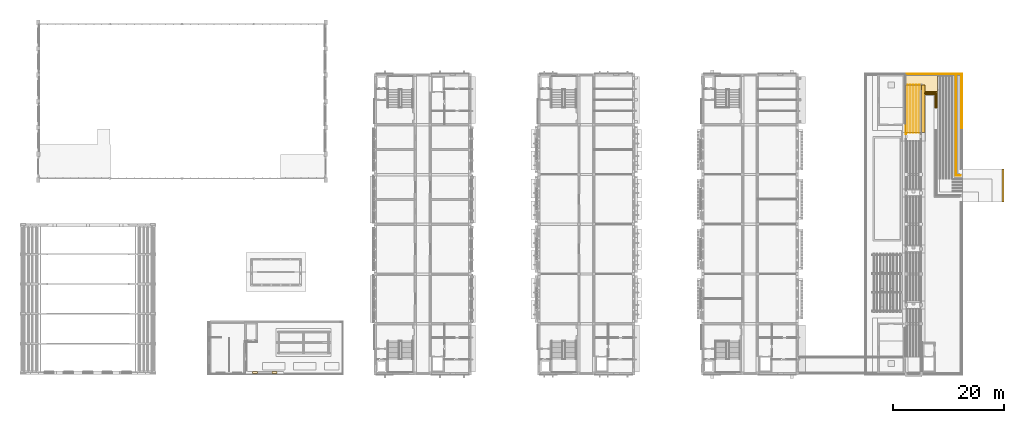
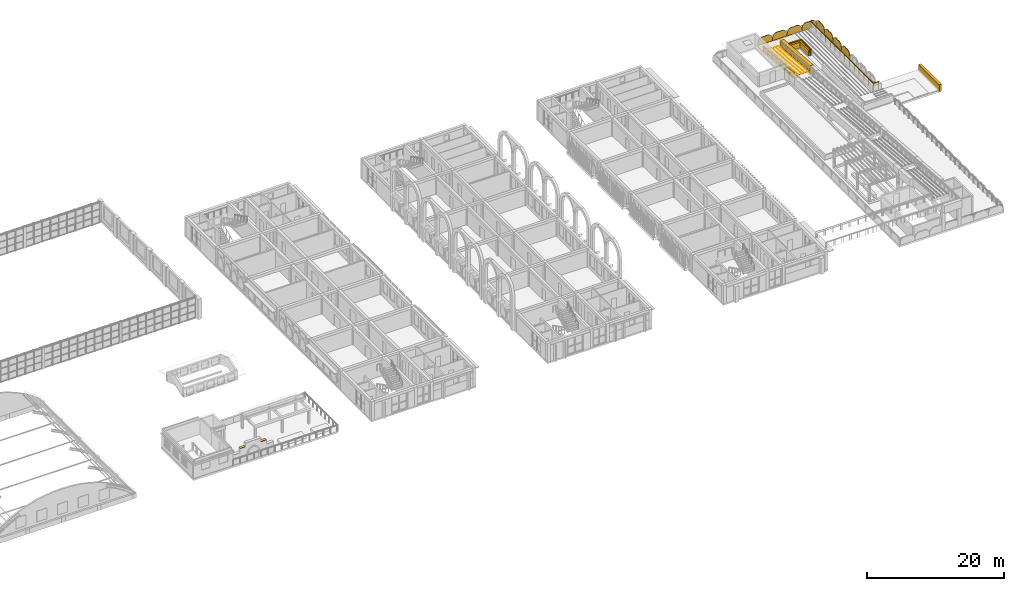
# One storey, part 69 of 70: 14 coverings, 8 shading devices, 3 railings.
"""IFC4 building model written with IfcOpenShell, lengths in metres."""

from ifc_helpers import new_model, si_unit, direction, frame, origin, origin_2d, place, context, subcontext, project, spatial, polyline, circle, outline, extrude, material, layer, layer_set, type_object, element, save


model = new_model("IFC4")

# Units and contexts
model_context = context("Model", 3, precision=1e-05, world=origin(), true_north=direction((0.0, 1.0)))
body_context = subcontext(model_context, "Body", "Model", "MODEL_VIEW")
ifc_project = project(units=[si_unit("LENGTHUNIT", "METRE"), si_unit("AREAUNIT", "SQUARE_METRE"), si_unit("VOLUMEUNIT", "CUBIC_METRE"), si_unit("PLANEANGLEUNIT", "RADIAN"), si_unit("MASSUNIT", "GRAM", prefix="KILO")], contexts=[model_context])

# Site, building, storey
site_placement = place(None, origin())
site = spatial("IfcSite", under=ifc_project, at=site_placement, CompositionType="ELEMENT")
building_placement = place(site_placement, origin())
building = spatial("IfcBuilding", under=site, at=building_placement, Name="Elbe Cascade School", CompositionType="ELEMENT")
storey_placement = place(building_placement, frame((0.0, 0.0, 8.10009765625)))
storey = spatial("IfcBuildingStorey", under=building, at=storey_placement, Name="L02", CompositionType="ELEMENT", Elevation=8.10009765625)

# Shading devices
ifc_material_1 = material(Name="Precast concrete C40/50", Category="concrete")
ifc_layer_1 = layer(ifc_material_1, 0.1201171875)
ifc_layer_set_1 = layer_set([ifc_layer_1], Name="Precast concrete C40/50")
shading_device_type = type_object("IfcShadingDeviceType", Name="Bars envelope Attic jali screen, pointed arch top, pierced precast concrete, 1200 high", PredefinedType="USERDEFINED", material=ifc_layer_set_1)
shading_device_1_placement = place(storey_placement, frame((175.1201171875, 50.392822265625, 0.0), z_axis=(1.0, 0.0, 0.0), x_axis=(0.0, 1.0, 0.0)))
element("IfcShadingDevice", 1, at=shading_device_1_placement, inside=storey, type_object=shading_device_type, Name="Attic jali screen SD1 D.L02.e17", ObjectType="JALI", PredefinedType="USERDEFINED", context=body_context, shape_type="SweptSolid", body=[
    extrude(outline(polyline([(0.0, 0.0), (2.46435546875, 0.0), (2.46435546875, 0.39990234375), (2.310302734375, 0.89599609375), (2.15625, 1.066650390625), (2.002197265625, 1.171875), (1.848388671875, 1.236328125), (1.6943359375, 1.269287109375), (1.540283203125, 1.2744140625), (1.38623046875, 1.251953125), (1.232177734375, 1.199951171875), (1.078125, 1.251953125), (0.924072265625, 1.2744140625), (0.77001953125, 1.269287109375), (0.615966796875, 1.236328125), (0.462158203125, 1.171875), (0.30810546875, 1.066650390625), (0.154052734375, 0.89599609375), (0.0, 0.39990234375), (0.0, 0.0)])), origin(), (0.0, 0.0, -1.0), 0.1201171875),
])
shading_device_2_placement = place(storey_placement, frame((175.1201171875, 52.857177734375, 0.0), z_axis=(1.0, 0.0, 0.0), x_axis=(0.0, 1.0, 0.0)))
element("IfcShadingDevice", 2, at=shading_device_2_placement, inside=storey, type_object=shading_device_type, Name="Attic jali screen SD1 D.L02.e18", ObjectType="JALI", PredefinedType="USERDEFINED", context=body_context, shape_type="SweptSolid", body=[
    extrude(outline(polyline([(0.0, 0.0), (2.464111328125, 0.0), (2.464111328125, 0.39990234375), (2.310302734375, 0.89599609375), (2.15625, 1.066650390625), (2.002197265625, 1.171875), (1.84814453125, 1.236328125), (1.694091796875, 1.269287109375), (1.5400390625, 1.2744140625), (1.38623046875, 1.251953125), (1.232177734375, 1.199951171875), (1.078125, 1.251953125), (0.924072265625, 1.2744140625), (0.77001953125, 1.269287109375), (0.615966796875, 1.236328125), (0.4619140625, 1.171875), (0.30810546875, 1.066650390625), (0.154052734375, 0.89599609375), (0.0, 0.39990234375), (0.0, 0.0)])), origin(), (0.0, 0.0, -1.0), 0.1201171875),
])
shading_device_3_placement = place(storey_placement, frame((175.1201171875, 55.3212890625, 0.0), z_axis=(1.0, 0.0, 0.0), x_axis=(0.0, 1.0, 0.0)))
element("IfcShadingDevice", 3, at=shading_device_3_placement, inside=storey, type_object=shading_device_type, Name="Attic jali screen SD1 D.L02.e19", ObjectType="JALI", PredefinedType="USERDEFINED", context=body_context, shape_type="SweptSolid", body=[
    extrude(outline(polyline([(0.0, 0.0), (2.46435546875, 0.0), (2.46435546875, 0.39990234375), (2.310302734375, 0.89599609375), (2.156494140625, 1.066650390625), (2.00244140625, 1.171875), (1.848388671875, 1.236328125), (1.6943359375, 1.269287109375), (1.540283203125, 1.2744140625), (1.38623046875, 1.251953125), (1.232421875, 1.199951171875), (1.078369140625, 1.251953125), (0.92431640625, 1.2744140625), (0.770263671875, 1.269287109375), (0.6162109375, 1.236328125), (0.462158203125, 1.171875), (0.30810546875, 1.066650390625), (0.154052734375, 0.89599609375), (0.0, 0.39990234375), (0.0, 0.0)])), origin(), (0.0, 0.0, -1.0), 0.1201171875),
])
shading_device_4_placement = place(storey_placement, frame((175.1201171875, 57.78564453125, 0.0), z_axis=(1.0, 0.0, 0.0), x_axis=(0.0, 1.0, 0.0)))
element("IfcShadingDevice", 4, at=shading_device_4_placement, inside=storey, type_object=shading_device_type, Name="Attic jali screen SD1 D.L02.e20", ObjectType="JALI", PredefinedType="USERDEFINED", context=body_context, shape_type="SweptSolid", body=[
    extrude(outline(polyline([(0.0, 0.0), (2.46435546875, 0.0), (2.46435546875, 0.39990234375), (2.310302734375, 0.89599609375), (2.15625, 1.066650390625), (2.002197265625, 1.171875), (1.84814453125, 1.236328125), (1.6943359375, 1.269287109375), (1.540283203125, 1.2744140625), (1.38623046875, 1.251953125), (1.232177734375, 1.199951171875), (1.078125, 1.251953125), (0.924072265625, 1.2744140625), (0.770263671875, 1.269287109375), (0.6162109375, 1.236328125), (0.462158203125, 1.171875), (0.30810546875, 1.066650390625), (0.154052734375, 0.89599609375), (0.0, 0.39990234375), (0.0, 0.0)])), origin(), (0.0, 0.0, -1.0), 0.1201171875),
])
shading_device_5_placement = place(storey_placement, frame((165.1142578125, 60.219970703125, 0.39990234375), z_axis=(0.0, 1.0, 0.0), x_axis=(0.296885994804, 0.0, 0.954912931156)))
element("IfcShadingDevice", 5, at=shading_device_5_placement, inside=storey, type_object=shading_device_type, Name="Attic jali screen SD1 D.L02.n4", ObjectType="JALI", PredefinedType="USERDEFINED", context=body_context, shape_type="SweptSolid", body=[
    extrude(outline(polyline([(0.0, 0.0), (0.5205399322619295, 0.0), (0.7297747744144588, 0.09653024661443438), (0.8759030447045664, 0.21293622992885647), (0.9833312303823933, 0.34137421400927725), (1.0606852539217615, 0.47916236735966106), (1.1111564959480074, 0.6250528098876207), (1.1353561864054482, 0.7793668438081713), (1.130880512963428, 0.9425961554047334), (1.227045830796945, 1.0742801391969354), (1.2946082666633263, 1.2151125337049815), (1.3358266690285774, 1.3641353865657857), (1.3502347718130312, 1.521493661643999), (1.3344962305267012, 1.6879689729523422), (1.280130086560416, 1.8667094180665167), (1.1625848887993835, 2.065092466840847), (0.7337346009289507, 2.3600057622296102), (0.3518626816824722, 2.4787311673784416), (-0.3818719192464785, 0.1187254051488315), (0.0, 0.0)])), origin(), (0.0, 0.0, -1.0), 0.1201171875),
])
shading_device_6_placement = place(storey_placement, frame((167.585693359375, 60.219970703125, 0.39990234375), z_axis=(0.0, 1.0, 0.0), x_axis=(0.296885994804, 0.0, 0.954912931156)))
element("IfcShadingDevice", 6, at=shading_device_6_placement, inside=storey, type_object=shading_device_type, Name="Attic jali screen SD1 D.L02.n5", ObjectType="JALI", PredefinedType="USERDEFINED", context=body_context, shape_type="SweptSolid", body=[
    extrude(outline(polyline([(0.0, 0.0), (0.5205399322619295, 0.0), (0.7297747744144588, 0.09653024661443438), (0.8759030447045664, 0.21293622992885647), (0.9833312303823933, 0.34137421400927725), (1.060612771989436, 0.4789292343198281), (1.1111564959480074, 0.6250528098876207), (1.1353561864054482, 0.7793668438081713), (1.1308080310311026, 0.9423630223649005), (1.227045830796945, 1.0742801391969354), (1.2946082666633263, 1.2151125337049815), (1.3358266690285774, 1.3641353865657857), (1.350162289880706, 1.521260528604166), (1.3344962305267012, 1.6879689729523422), (1.280130086560416, 1.8667094180665167), (1.162512406867058, 2.0648593338010137), (0.7337346009289507, 2.3600057622296102), (0.3518626816824722, 2.4787311673784416), (-0.3818719192464785, 0.1187254051488315), (0.0, 0.0)])), origin(), (0.0, 0.0, -1.0), 0.1201171875),
])
shading_device_7_placement = place(storey_placement, frame((170.05712890625, 60.219970703125, 0.39990234375), z_axis=(0.0, 1.0, 0.0), x_axis=(0.296885994804, 0.0, 0.954912931156)))
element("IfcShadingDevice", 7, at=shading_device_7_placement, inside=storey, type_object=shading_device_type, Name="Attic jali screen SD1 D.L02.n6", ObjectType="JALI", PredefinedType="USERDEFINED", context=body_context, shape_type="SweptSolid", body=[
    extrude(outline(polyline([(0.0, 0.0), (0.5205399322619295, 0.0), (0.7298472563467842, 0.0967633796542674), (0.8759030447045664, 0.21293622992885647), (0.9833312303823933, 0.34137421400927725), (1.0606852539217615, 0.47916236735966106), (1.1111564959480074, 0.6250528098876207), (1.1353561864054482, 0.7793668438081713), (1.130880512963428, 0.9425961554047334), (1.227045830796945, 1.0742801391969354), (1.2946082666633263, 1.2151125337049815), (1.335754187096252, 1.3639022535259528), (1.350162289880706, 1.521260528604166), (1.3344962305267012, 1.6879689729523422), (1.2800576046280905, 1.8664762850266836), (1.162512406867058, 2.0648593338010137), (0.7337346009289507, 2.3600057622296102), (0.3518626816824722, 2.4787311673784416), (-0.3818719192464785, 0.1187254051488315), (0.0, 0.0)])), origin(), (0.0, 0.0, -1.0), 0.1201171875),
])
shading_device_8_placement = place(storey_placement, frame((172.528564453125, 60.219970703125, 0.39990234375), z_axis=(0.0, 1.0, 0.0), x_axis=(0.296885994804, 0.0, 0.954912931156)))
element("IfcShadingDevice", 8, at=shading_device_8_placement, inside=storey, type_object=shading_device_type, Name="Attic jali screen SD1 D.L02.n7", ObjectType="JALI", PredefinedType="USERDEFINED", context=body_context, shape_type="SweptSolid", body=[
    extrude(outline(polyline([(0.0, 0.0), (0.5205399322619295, 0.0), (0.7297747744144588, 0.09653024661443438), (0.8759030447045664, 0.21293622992885647), (0.9833312303823933, 0.34137421400927725), (1.060612771989436, 0.4789292343198281), (1.1111564959480074, 0.6250528098876207), (1.1353561864054482, 0.7793668438081713), (1.130880512963428, 0.9425961554047334), (1.227045830796945, 1.0742801391969354), (1.2946082666633263, 1.2151125337049815), (1.3358266690285774, 1.3641353865657857), (1.350162289880706, 1.521260528604166), (1.3344962305267012, 1.6879689729523422), (1.280130086560416, 1.8667094180665167), (1.162512406867058, 2.0648593338010137), (0.7337346009289507, 2.3600057622296102), (0.3518626816824722, 2.4787311673784416), (-0.3818719192464785, 0.1187254051488315), (0.0, 0.0)])), origin(), (0.0, 0.0, -1.0), 0.1201171875),
])

# Coverings
ifc_material_2 = material(Name="Sandstone - red", Category="masonry")
ifc_layer_2 = layer(ifc_material_2, 0.10009765625)
ifc_layer_set_2 = layer_set([ifc_layer_2], Name="Sandstone - red")
covering_type_1 = type_object("IfcCoveringType", Name="Cafe frontispiece coping 100", PredefinedType="CLADDING", material=ifc_layer_set_2)
covering_1_placement = place(storey_placement, frame((0.0, 0.0, 2.5)))
element("IfcCovering", 9, at=covering_1_placement, inside=storey, type_object=covering_type_1, Name="Cafe frontispiece coping 100 CV98", PredefinedType="CLADDING", context=body_context, shape_type="SweptSolid", body=[
    extrude(outline(polyline([(50.300048828125, 6.0), (51.199951171875, 6.0), (51.199951171875, 6.39990234375), (50.300048828125, 6.39990234375), (50.300048828125, 6.0)])), origin(), (0.0, 0.0, 1.0), 0.099853515625),
])
covering_2_placement = place(storey_placement, frame((0.0, 0.0, 2.5)))
element("IfcCovering", 10, at=covering_2_placement, inside=storey, type_object=covering_type_1, Name="Cafe frontispiece coping 100 CV98", PredefinedType="CLADDING", context=body_context, shape_type="SweptSolid", body=[
    extrude(outline(polyline([(46.800048828125, 6.0), (47.699951171875, 6.0), (47.699951171875, 6.39990234375), (46.800048828125, 6.39990234375), (46.800048828125, 6.0)])), origin(), (0.0, 0.0, 1.0), 0.099853515625),
])
ifc_material_3 = material(Name="Sandstone - red", Category="masonry")
ifc_layer_3 = layer(ifc_material_3, 0.39990234375)
ifc_layer_set_3 = layer_set([ifc_layer_3], Name="Sandstone - red")
covering_type_2 = type_object("IfcCoveringType", Name="Cascade cheek wall 400", PredefinedType="CLADDING", material=ifc_layer_set_3)
covering_3_placement = place(storey_placement, frame((0.0, 0.0, -0.239990234375)))
element("IfcCovering", 11, at=covering_3_placement, inside=storey, type_object=covering_type_2, Name="Cascade top landing cheek wall east", PredefinedType="CLADDING", context=body_context, shape_type="SweptSolid", body=[
    extrude(outline(polyline([(182.300048828125, 37.0), (182.699951171875, 37.0), (182.699951171875, 43.0), (182.300048828125, 43.0), (182.300048828125, 37.0)])), origin(), (0.0, 0.0, 1.0), 1.260009765625),
])
ifc_material_4 = material(Name="Running track surfacing - white lines", Category="surfacing")
ifc_layer_4 = layer(ifc_material_4, 0.02001953125)
ifc_layer_set_4 = layer_set([ifc_layer_4], Name="Running track surfacing - white lines")
covering_type_3 = type_object("IfcCoveringType", Name="Lane marking 80", PredefinedType="FLOORING", material=ifc_layer_set_4)
for number, where, z_axis, x_axis, name in (
    (12, (165.22998046875, 49.56005859375, 0.9599609375), (0.0, 0.08304314939, 0.996545952447), (0.0, 0.996545952447, -0.08304314939), "Lane marking D ramp flight 5 line 1"),
    (13, (165.77001953125, 49.56005859375, 0.9599609375), (0.0, 0.08304314939, 0.996545952447), (0.0, 0.996545952447, -0.08304314939), "Lane marking D ramp flight 5 line 2"),
):
    element("IfcCovering", number, at=place(storey_placement, frame(where, z_axis=z_axis, x_axis=x_axis)), inside=storey, type_object=covering_type_3, Name=name, PredefinedType="FLOORING", context=body_context, shape_type="SweptSolid", body=[
        extrude(outline(polyline([(0.0, 0.0), (8.669838612967244, 0.0), (8.669838612967244, -0.08007812500000001), (0.0, -0.08007812500000001), (0.0, 0.0)])), origin(), (0.08304314939, 0.0, -0.996545952447), 0.02001953125),
    ])
for number, where, z_axis, x_axis, name in (
    (14, (166.31005859375, 49.56005859375, 0.9599609375), (0.0, 0.08304314939, 0.996545952447), (0.0, 0.996545952447, -0.08304314939), "Lane marking D ramp flight 5 line 3"),
    (15, (166.85009765625, 49.56005859375, 0.9599609375), (0.0, 0.08304314939, 0.996545952447), (0.0, 0.996545952447, -0.08304314939), "Lane marking D ramp flight 5 line 4"),
):
    element("IfcCovering", number, at=place(storey_placement, frame(where, z_axis=z_axis, x_axis=x_axis)), inside=storey, type_object=covering_type_3, Name=name, PredefinedType="FLOORING", context=body_context, shape_type="SweptSolid", body=[
        extrude(outline(polyline([(0.0, 0.0), (8.669838612967244, 0.0), (8.669838612967244, -0.079833984375), (0.0, -0.079833984375), (0.0, 0.0)])), origin(), (0.08304314939, 0.0, -0.996545952447), 0.02001953125),
    ])
covering_4_placement = place(storey_placement, frame((167.389892578125, 49.56005859375, 0.9599609375), z_axis=(0.0, 0.08304314939, 0.996545952447), x_axis=(0.0, 0.996545952447, -0.08304314939)))
element("IfcCovering", 16, at=covering_4_placement, inside=storey, type_object=covering_type_3, Name="Lane marking D ramp flight 5 line 5", PredefinedType="FLOORING", context=body_context, shape_type="SweptSolid", body=[
    extrude(outline(polyline([(0.0, 0.0), (8.669838612967244, 0.0), (8.669838612967244, -0.08007812500000001), (0.0, -0.08007812500000001), (0.0, 0.0)])), origin(), (0.08304314939, 0.0, -0.996545952447), 0.02001953125),
])
ifc_material_5 = material(Name="Concrete C30/37 precast parapet", Category="concrete")
ifc_layer_5 = layer(ifc_material_5, 0.60009765625)
ifc_layer_set_5 = layer_set([ifc_layer_5], Name="Concrete C30/37 precast parapet")
covering_type_4 = type_object("IfcCoveringType", Name="Ramp parapet on deck 600", PredefinedType="CLADDING", material=ifc_layer_set_5)
covering_5_placement = place(storey_placement, frame((167.800048828125, 49.56005859375, 0.059814453125), z_axis=(1.0, 0.0, 0.0), x_axis=(0.0, 1.0, 0.0)))
element("IfcCovering", 17, at=covering_5_placement, inside=storey, type_object=covering_type_4, Name="Ramp D flight 5 parapet e1", PredefinedType="CLADDING", context=body_context, shape_type="SweptSolid", body=[
    extrude(outline(polyline([(0.0, 0.0), (8.639892578125, 0.0), (8.639892578125, 1.06005859375), (0.0, 1.780029296875), (0.0, 0.0)])), origin(), (0.0, 0.0, 1.0), 0.599853515625),
])
ifc_material_6 = material(Name="Running track surfacing - red", Category="surfacing")
ifc_layer_6 = layer(ifc_material_6, 0.10009765625)
ifc_layer_set_6 = layer_set([ifc_layer_6], Name="Running track surfacing - red")
covering_type_5 = type_object("IfcCoveringType", Name="Running track band 100", PredefinedType="USERDEFINED", material=ifc_layer_set_6)
covering_6_placement = place(storey_placement, frame((165.14990234375, 49.56005859375, 0.93994140625), z_axis=(0.0, 0.08304314939, 0.996545952447), x_axis=(0.0, 0.996545952447, -0.08304314939)))
element("IfcCovering", 18, at=covering_6_placement, inside=storey, type_object=covering_type_5, Name="Running track band D ramp flight 5", ObjectType="RUNNING TRACK", PredefinedType="USERDEFINED", context=body_context, shape_type="SweptSolid", body=[
    extrude(outline(polyline([(0.0, 0.0), (8.669838612967244, 0.0), (8.669838612967244, -2.400146484375), (0.0, -2.400146484375), (0.0, 0.0)])), origin(), (0.08304314939, 0.0, -0.996545952447), 0.10009765625),
])
ifc_material_7 = material(Name="Running track surfacing - red", Category="surfacing")
ifc_layer_7 = layer(ifc_material_7, 0.06005859375)
ifc_layer_set_7 = layer_set([ifc_layer_7], Name="Running track surfacing - red")
covering_type_6 = type_object("IfcCoveringType", Name="Running track surfacing 60", PredefinedType="USERDEFINED", material=ifc_layer_set_7)
covering_7_placement = place(storey_placement, frame((0.0, 0.0, 0.059814453125)))
element("IfcCovering", 19, at=covering_7_placement, inside=storey, type_object=covering_type_6, Name="Running track D ramp link", ObjectType="RUNNING TRACK", PredefinedType="USERDEFINED", context=body_context, shape_type="SweptSolid", body=[
    extrude(outline(polyline([(164.89990234375, 58.199951171875), (167.800048828125, 58.199951171875), (167.800048828125, 57.0), (170.699951171875, 57.0), (170.699951171875, 59.969970703125), (164.89990234375, 59.969970703125), (164.89990234375, 58.199951171875)])), origin(), (0.0, 0.0, 1.0), 0.06005859375),
])
covering_8_placement = place(storey_placement, frame((164.89990234375, 49.56005859375, 0.83984375), z_axis=(0.0, 0.08304314939, 0.996545952447), x_axis=(0.0, 0.996545952447, -0.08304314939)))
element("IfcCovering", 20, at=covering_8_placement, inside=storey, type_object=covering_type_6, Name="Running track D ramp flight 5", ObjectType="RUNNING TRACK", PredefinedType="USERDEFINED", context=body_context, shape_type="SweptSolid", body=[
    extrude(outline(polyline([(0.0, 0.0), (8.669838612967244, 0.0), (8.669838612967244, -2.900146484375), (0.0, -2.900146484375), (0.0, 0.0)])), origin(), (0.08304314939, 0.0, -0.996545952447), 0.06005859375),
])

# Railings
ifc_material_8 = material(Name="Steel S355J2H", Category="steel")
railing_type_1 = type_object("IfcRailingType", Name="Track edge rail 1280", PredefinedType="GUARDRAIL", material=ifc_material_8)
railing_1_placement = place(storey_placement, frame((174.0, 59.927978515625, 0.059814453125)))
element("IfcRailing", 21, at=railing_1_placement, inside=storey, type_object=railing_type_1, Name="Track edge rail RL6 D east", PredefinedType="GUARDRAIL", context=body_context, shape_type="SweptSolid", body=[
    extrude(circle(Radius=0.06005859375, at=origin_2d()), frame((0.0, 0.0, 1.219970703125), z_axis=(0.0, -1.0, 0.0), x_axis=(1.0, 0.0, 0.0)), (0.0, 0.0, 1.0), 18.1279296875),
    extrude(circle(Radius=0.06005859375, at=origin_2d()), frame((0.0, -18.1279296875, 1.219970703125), z_axis=(1.0, 0.0, 0.0), x_axis=(0.0, 1.0, 0.0)), (0.0, 0.0, 1.0), 0.85791015625),
    extrude(circle(Radius=0.0400390625, at=origin_2d()), origin(), (0.0, 0.0, 1.0), 1.159912109375),
    extrude(circle(Radius=0.0400390625, at=origin_2d()), frame((0.0, -1.39453125, 0.0)), (0.0, 0.0, 1.0), 1.159912109375),
    extrude(circle(Radius=0.0400390625, at=origin_2d()), frame((0.0, -2.788818359375, 0.0)), (0.0, 0.0, 1.0), 1.159912109375),
    extrude(circle(Radius=0.0400390625, at=origin_2d()), frame((0.0, -4.183349609375, 0.0)), (0.0, 0.0, 1.0), 1.159912109375),
    extrude(circle(Radius=0.0400390625, at=origin_2d()), frame((0.0, -5.577880859375, 0.0)), (0.0, 0.0, 1.0), 1.159912109375),
    extrude(circle(Radius=0.0400390625, at=origin_2d()), frame((0.0, -6.97216796875, 0.0)), (0.0, 0.0, 1.0), 1.159912109375),
    extrude(circle(Radius=0.0400390625, at=origin_2d()), frame((0.0, -8.36669921875, 0.0)), (0.0, 0.0, 1.0), 1.159912109375),
    extrude(circle(Radius=0.0400390625, at=origin_2d()), frame((0.0, -9.76123046875, 0.0)), (0.0, 0.0, 1.0), 1.159912109375),
    extrude(circle(Radius=0.0400390625, at=origin_2d()), frame((0.0, -11.15576171875, 0.0)), (0.0, 0.0, 1.0), 1.159912109375),
    extrude(circle(Radius=0.0400390625, at=origin_2d()), frame((0.0, -12.550048828125, 0.0)), (0.0, 0.0, 1.0), 1.159912109375),
    extrude(circle(Radius=0.0400390625, at=origin_2d()), frame((0.0, -13.944580078125, 0.0)), (0.0, 0.0, 1.0), 1.159912109375),
    extrude(circle(Radius=0.0400390625, at=origin_2d()), frame((0.0, -15.339111328125, 0.0)), (0.0, 0.0, 1.0), 1.159912109375),
    extrude(circle(Radius=0.0400390625, at=origin_2d()), frame((0.0, -16.7333984375, 0.0)), (0.0, 0.0, 1.0), 1.159912109375),
    extrude(circle(Radius=0.0400390625, at=origin_2d()), frame((0.0, -18.1279296875, 0.0)), (0.0, 0.0, 1.0), 1.159912109375),
    extrude(circle(Radius=0.0400390625, at=origin_2d()), frame((0.85791015625, -18.1279296875, 0.0)), (0.0, 0.0, 1.0), 1.159912109375),
])
railing_2_placement = place(storey_placement, frame((168.39990234375, 56.699951171875, 0.059814453125)))
element("IfcRailing", 22, at=railing_2_placement, inside=storey, type_object=railing_type_1, Name="Track edge rail RL6 D west 1", PredefinedType="GUARDRAIL", context=body_context, shape_type="SweptSolid", body=[
    extrude(circle(Radius=0.06005859375, at=origin_2d()), frame((0.0, 0.0, 1.219970703125), z_axis=(1.0, 0.0, 0.0), x_axis=(0.0, 1.0, 0.0)), (0.0, 0.0, 1.0), 2.0),
    extrude(circle(Radius=0.06005859375, at=origin_2d()), frame((2.0, 0.0, 1.219970703125), z_axis=(0.0, -1.0, 0.0), x_axis=(1.0, 0.0, 0.0)), (0.0, 0.0, 1.0), 2.699951171875),
    extrude(circle(Radius=0.0400390625, at=origin_2d()), origin(), (0.0, 0.0, 1.0), 1.159912109375),
    extrude(circle(Radius=0.0400390625, at=origin_2d()), frame((1.0, 0.0, 0.0)), (0.0, 0.0, 1.0), 1.159912109375),
    extrude(circle(Radius=0.0400390625, at=origin_2d()), frame((2.0, 0.0, 0.0)), (0.0, 0.0, 1.0), 1.159912109375),
    extrude(circle(Radius=0.0400390625, at=origin_2d()), frame((2.0, -1.35009765625, 0.0)), (0.0, 0.0, 1.0), 1.159912109375),
    extrude(circle(Radius=0.0400390625, at=origin_2d()), frame((2.0, -2.699951171875, 0.0)), (0.0, 0.0, 1.0), 1.159912109375),
])
ifc_material_9 = material(Name="Steel S355J2H", Category="steel")
railing_type_2 = type_object("IfcRailingType", Name="Track handrail 900", PredefinedType="HANDRAIL", material=ifc_material_9)
railing_3_placement = place(storey_placement, frame((165.0, 49.260009765625, 0.83984375)))
element("IfcRailing", 23, at=railing_3_placement, inside=storey, type_object=railing_type_2, Name="Track handrail RL5 C-D north and west flight 5", PredefinedType="HANDRAIL", context=body_context, shape_type="SweptSolid", body=[
    extrude(circle(Radius=0.0400390625, at=origin_2d()), frame((0.0, 0.0, 0.85986328125), z_axis=(0.0, 1.0, 0.0), x_axis=(-1.0, 0.0, 0.0)), (0.0, 0.0, 1.0), 0.300048828125),
    extrude(circle(Radius=0.0400390625, at=origin_2d()), frame((0.0, 0.300048828125, 0.85986328125), z_axis=(0.0, 0.996545952447, -0.08304314939), x_axis=(-1.0, 0.0, 0.0)), (0.0, 0.0, 1.0), 8.669921875),
    extrude(circle(Radius=0.02099609375, at=origin_2d()), origin(), (0.0, 0.0, 1.0), 0.81982421875),
    extrude(circle(Radius=0.02099609375, at=origin_2d()), frame((0.0, 0.300048828125, 0.0)), (0.0, 0.0, 1.0), 0.81982421875),
    extrude(circle(Radius=0.02099609375, at=origin_2d()), frame((0.0, 1.534423828125, -0.102783203125)), (0.0, 0.0, 1.0), 0.81982421875),
    extrude(circle(Radius=0.02099609375, at=origin_2d()), frame((0.0, 2.7685546875, -0.205810546875)), (0.0, 0.0, 1.0), 0.81982421875),
    extrude(circle(Radius=0.02099609375, at=origin_2d()), frame((0.0, 4.0029296875, -0.30859375)), (0.0, 0.0, 1.0), 0.81982421875),
    extrude(circle(Radius=0.02099609375, at=origin_2d()), frame((0.0, 5.237060546875, -0.411376953125)), (0.0, 0.0, 1.0), 0.81982421875),
    extrude(circle(Radius=0.02099609375, at=origin_2d()), frame((0.0, 6.471435546875, -0.51416015625)), (0.0, 0.0, 1.0), 0.81982421875),
    extrude(circle(Radius=0.02099609375, at=origin_2d()), frame((0.0, 7.70556640625, -0.6171875)), (0.0, 0.0, 1.0), 0.81982421875),
    extrude(circle(Radius=0.02099609375, at=origin_2d()), frame((0.0, 8.93994140625, -0.719970703125)), (0.0, 0.0, 1.0), 0.81982421875),
])

# Coverings
ifc_material_10 = material(Name="Concrete C30/37 precast parapet", Category="concrete")
ifc_layer_8 = layer(ifc_material_10, 0.60009765625)
ifc_layer_set_8 = layer_set([ifc_layer_8], Name="Concrete C30/37 precast parapet")
covering_type_7 = type_object("IfcCoveringType", Name="Track parapet on deck 600x1060", PredefinedType="CLADDING", material=ifc_layer_set_8)
covering_9_placement = place(storey_placement, frame((0.0, 0.0, 0.059814453125)))
element("IfcCovering", 24, at=covering_9_placement, inside=storey, type_object=covering_type_7, Name="Track parapet D link south", PredefinedType="CLADDING", context=body_context, shape_type="SweptSolid", body=[
    extrude(outline(polyline([(168.39990234375, 56.39990234375), (170.10009765625, 56.39990234375), (170.10009765625, 57.0), (168.39990234375, 57.0), (168.39990234375, 56.39990234375)])), origin(), (0.0, 0.0, 1.0), 1.06005859375),
])
covering_10_placement = place(storey_placement, frame((0.0, 0.0, 0.059814453125)))
element("IfcCovering", 25, at=covering_10_placement, inside=storey, type_object=covering_type_7, Name="Track parapet D west 1", PredefinedType="CLADDING", context=body_context, shape_type="SweptSolid", body=[
    extrude(outline(polyline([(170.10009765625, 57.0), (170.699951171875, 57.0), (170.699951171875, 54.0), (170.10009765625, 54.0), (170.10009765625, 57.0)])), origin(), (0.0, 0.0, 1.0), 1.06005859375),
])

save(model, "model.ifc")
